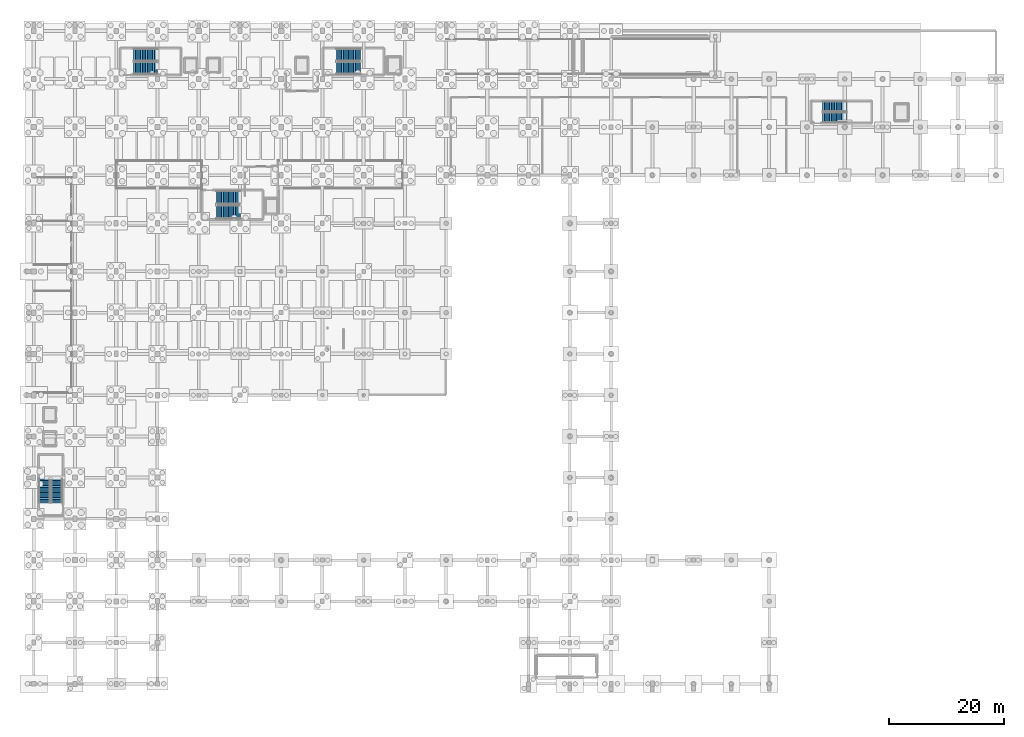
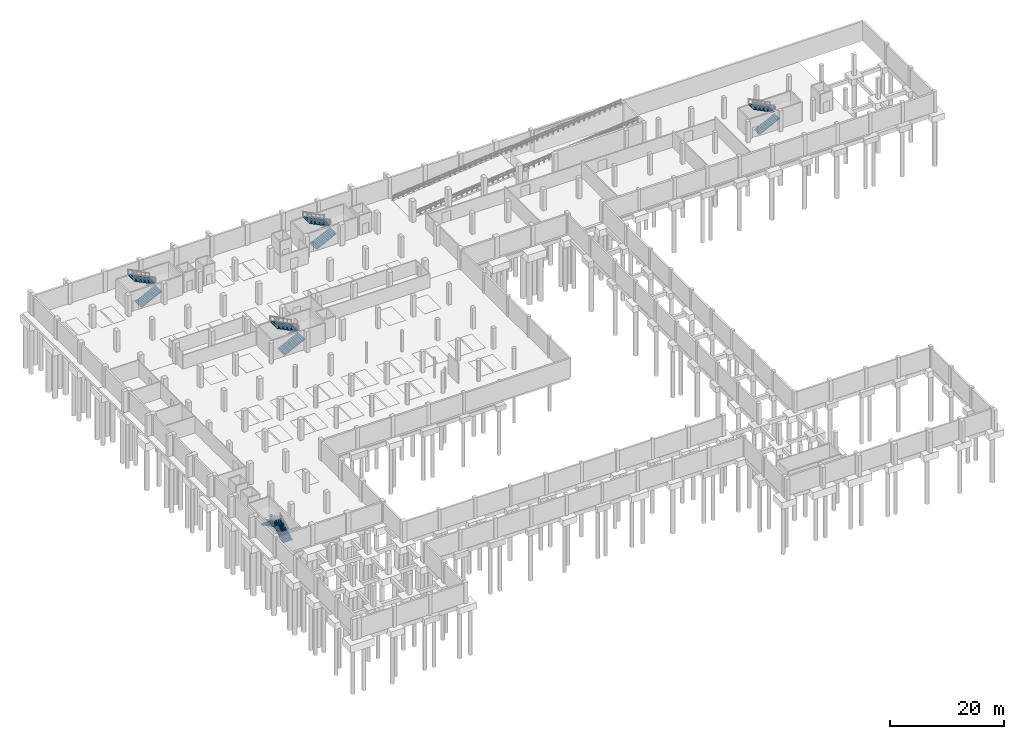
# One storey, part 28 of 35: 10 stair flights, 5 elements without a shape of their own.
"""IFC4 building model written with IfcOpenShell, lengths in metres."""

from ifc_helpers import new_model, si_unit, direction, frame, origin, place, context, subcontext, project, spatial, polyline, outline, extrude, material, type_object, element, aggregate, save


model = new_model("IFC4")

# Units and contexts
model_context = context("Model", 3, precision=1e-05, world=origin(), true_north=direction((0.0, 1.0)))
body_context = subcontext(model_context, "Body", "Model", "MODEL_VIEW")
ifc_project = project(units=[si_unit("LENGTHUNIT", "METRE"), si_unit("AREAUNIT", "SQUARE_METRE"), si_unit("VOLUMEUNIT", "CUBIC_METRE"), si_unit("PLANEANGLEUNIT", "RADIAN"), si_unit("MASSUNIT", "GRAM", prefix="KILO")], contexts=[model_context])

# Site, building, storey
site_placement = place(None, origin())
site = spatial("IfcSite", under=ifc_project, at=site_placement, CompositionType="ELEMENT")
building_placement = place(site_placement, origin())
building = spatial("IfcBuilding", under=site, at=building_placement, Name="Kalluvel Institute of Natural Sciences", CompositionType="ELEMENT")
storey_placement = place(building_placement, frame((0.0, 0.0, -4.5)))
storey = spatial("IfcBuildingStorey", under=building, at=storey_placement, Name="B1", CompositionType="ELEMENT", Elevation=-4.5)

# Stair, stair flights
ifc_material = material(Name="Concrete M40", Category="concrete")
stair_type_1 = type_object("IfcStairType", Name="STR-ST12-45", PredefinedType="HALF_TURN_STAIR", material=ifc_material)
stair_1_placement = place(storey_placement, origin())
stair_1 = element("IfcStair", 1, at=stair_1_placement, inside=storey, type_object=stair_type_1, Name="B1 Wet Wing West Protected Exit Stair ST1", PredefinedType="HALF_TURN_STAIR")
stair_flight_type_1 = type_object("IfcStairFlightType", Name="STF-ST12-45", PredefinedType="STRAIGHT", material=ifc_material)
stair_flight_1_placement = place(storey_placement, frame((31.449951171875, 121.47998046875, 0.0), z_axis=(0.0, 0.0, 1.0), x_axis=(1.0, 0.0, 0.0)))
stair_flight_1 = element("IfcStairFlight", 2, at=stair_flight_1_placement, type_object=stair_flight_type_1, Name="S1-45 flight 1", NumberOfRisers=15, NumberOfTreads=14, PredefinedType="STRAIGHT", RiserHeight=0.15, TreadLength=0.3, context=body_context, shape_type="SweptSolid", body=[
    extrude(outline(polyline([(0.0, 0.0), (0.0, 0.14990234375), (0.300048828125, 0.14990234375), (0.300048828125, 0.300048828125), (0.60009765625, 0.300048828125), (0.60009765625, 0.449951171875), (0.89990234375, 0.449951171875), (0.89990234375, 0.60009765625), (1.199951171875, 0.60009765625), (1.199951171875, 0.75), (1.5, 0.75), (1.5, 0.89990234375), (1.800048828125, 0.89990234375), (1.800048828125, 1.050048828125), (2.10009765625, 1.050048828125), (2.10009765625, 1.199951171875), (2.39990234375, 1.199951171875), (2.39990234375, 1.35009765625), (2.699951171875, 1.35009765625), (2.699951171875, 1.5), (3.0, 1.5), (3.0, 1.64990234375), (3.300048828125, 1.64990234375), (3.300048828125, 1.800048828125), (3.60009765625, 1.800048828125), (3.60009765625, 1.949951171875), (3.89990234375, 1.949951171875), (3.89990234375, 2.10009765625), (4.199951171875, 2.10009765625), (4.199951171875, 2.25), (4.199951171875, 1.932373046875), (0.335205078125, 0.0), (0.0, 0.0)])), frame((0.0, 1.080078125, 0.0), z_axis=(0.0, -1.0, 0.0), x_axis=(1.0, 0.0, 0.0)), (0.0, 0.0, 1.0), 2.159912109375),
])
stair_flight_2_placement = place(storey_placement, frame((35.64990234375, 123.7900390625, 2.25), z_axis=(0.0, 0.0, 1.0), x_axis=(-1.0, 0.0, 0.0)))
stair_flight_2 = element("IfcStairFlight", 3, at=stair_flight_2_placement, type_object=stair_flight_type_1, Name="S1-45 flight 2", NumberOfRisers=15, NumberOfTreads=14, PredefinedType="STRAIGHT", RiserHeight=0.15, TreadLength=0.3, context=body_context, shape_type="SweptSolid", body=[
    extrude(outline(polyline([(0.0, 0.0), (0.0, 0.14990234375), (0.300048828125, 0.14990234375), (0.300048828125, 0.300048828125), (0.60009765625, 0.300048828125), (0.60009765625, 0.449951171875), (0.89990234375, 0.449951171875), (0.89990234375, 0.60009765625), (1.199951171875, 0.60009765625), (1.199951171875, 0.75), (1.5, 0.75), (1.5, 0.89990234375), (1.800048828125, 0.89990234375), (1.800048828125, 1.050048828125), (2.10009765625, 1.050048828125), (2.10009765625, 1.199951171875), (2.39990234375, 1.199951171875), (2.39990234375, 1.35009765625), (2.699951171875, 1.35009765625), (2.699951171875, 1.5), (3.0, 1.5), (3.0, 1.64990234375), (3.300048828125, 1.64990234375), (3.300048828125, 1.800048828125), (3.60009765625, 1.800048828125), (3.60009765625, 1.949951171875), (3.89990234375, 1.949951171875), (3.89990234375, 2.10009765625), (4.199951171875, 2.10009765625), (4.199951171875, 2.25), (4.199951171875, 1.932373046875), (0.335205078125, 0.0), (0.0, 0.0)])), frame((0.0, 1.080078125, 0.0), z_axis=(0.0, -1.0, 0.0), x_axis=(1.0, 0.0, 0.0)), (0.0, 0.0, 1.0), 2.159912109375),
])
aggregate(stair_1, [stair_flight_1, stair_flight_2])

stair_2_placement = place(storey_placement, origin())
stair_2 = element("IfcStair", 4, at=stair_2_placement, inside=storey, type_object=stair_type_1, Name="B1 Wet Wing East Protected Exit Stair ST2", PredefinedType="HALF_TURN_STAIR")
stair_flight_3_placement = place(storey_placement, frame((66.85009765625, 121.47998046875, 0.0), z_axis=(0.0, 0.0, 1.0), x_axis=(1.0, 0.0, 0.0)))
stair_flight_3 = element("IfcStairFlight", 5, at=stair_flight_3_placement, type_object=stair_flight_type_1, Name="S1-45 flight 1", NumberOfRisers=15, NumberOfTreads=14, PredefinedType="STRAIGHT", RiserHeight=0.15, TreadLength=0.3, context=body_context, shape_type="SweptSolid", body=[
    extrude(outline(polyline([(0.0, 0.0), (0.0, 0.14990234375), (0.300048828125, 0.14990234375), (0.300048828125, 0.300048828125), (0.60009765625, 0.300048828125), (0.60009765625, 0.449951171875), (0.89990234375, 0.449951171875), (0.89990234375, 0.60009765625), (1.199951171875, 0.60009765625), (1.199951171875, 0.75), (1.5, 0.75), (1.5, 0.89990234375), (1.800048828125, 0.89990234375), (1.800048828125, 1.050048828125), (2.10009765625, 1.050048828125), (2.10009765625, 1.199951171875), (2.39990234375, 1.199951171875), (2.39990234375, 1.35009765625), (2.699951171875, 1.35009765625), (2.699951171875, 1.5), (3.0, 1.5), (3.0, 1.64990234375), (3.300048828125, 1.64990234375), (3.300048828125, 1.800048828125), (3.60009765625, 1.800048828125), (3.60009765625, 1.949951171875), (3.89990234375, 1.949951171875), (3.89990234375, 2.10009765625), (4.199951171875, 2.10009765625), (4.199951171875, 2.25), (4.199951171875, 1.932373046875), (0.335205078125, 0.0), (0.0, 0.0)])), frame((0.0, 1.080078125, 0.0), z_axis=(0.0, -1.0, 0.0), x_axis=(1.0, 0.0, 0.0)), (0.0, 0.0, 1.0), 2.159912109375),
])
stair_flight_4_placement = place(storey_placement, frame((71.050048828125, 123.7900390625, 2.25), z_axis=(0.0, 0.0, 1.0), x_axis=(-1.0, 0.0, 0.0)))
stair_flight_4 = element("IfcStairFlight", 6, at=stair_flight_4_placement, type_object=stair_flight_type_1, Name="S1-45 flight 2", NumberOfRisers=15, NumberOfTreads=14, PredefinedType="STRAIGHT", RiserHeight=0.15, TreadLength=0.3, context=body_context, shape_type="SweptSolid", body=[
    extrude(outline(polyline([(0.0, 0.0), (0.0, 0.14990234375), (0.300048828125, 0.14990234375), (0.300048828125, 0.300048828125), (0.60009765625, 0.300048828125), (0.60009765625, 0.449951171875), (0.89990234375, 0.449951171875), (0.89990234375, 0.60009765625), (1.199951171875, 0.60009765625), (1.199951171875, 0.75), (1.5, 0.75), (1.5, 0.89990234375), (1.800048828125, 0.89990234375), (1.800048828125, 1.050048828125), (2.10009765625, 1.050048828125), (2.10009765625, 1.199951171875), (2.39990234375, 1.199951171875), (2.39990234375, 1.35009765625), (2.699951171875, 1.35009765625), (2.699951171875, 1.5), (3.0, 1.5), (3.0, 1.64990234375), (3.300048828125, 1.64990234375), (3.300048828125, 1.800048828125), (3.60009765625, 1.800048828125), (3.60009765625, 1.949951171875), (3.89990234375, 1.949951171875), (3.89990234375, 2.10009765625), (4.199951171875, 2.10009765625), (4.199951171875, 2.25), (4.199951171875, 1.932373046875), (0.335205078125, 0.0), (0.0, 0.0)])), frame((0.0, 1.080078125, 0.0), z_axis=(0.0, -1.0, 0.0), x_axis=(1.0, 0.0, 0.0)), (0.0, 0.0, 1.0), 2.159912109375),
])
aggregate(stair_2, [stair_flight_3, stair_flight_4])

stair_type_2 = type_object("IfcStairType", Name="STR-ST3-45", PredefinedType="HALF_TURN_STAIR", material=ifc_material)
stair_3_placement = place(storey_placement, origin())
stair_3 = element("IfcStair", 7, at=stair_3_placement, inside=storey, type_object=stair_type_2, Name="B1 Central Fire-Tower Protected Stair ST3", PredefinedType="HALF_TURN_STAIR")
stair_flight_type_2 = type_object("IfcStairFlightType", Name="STF-ST3-45", PredefinedType="STRAIGHT", material=ifc_material)
stair_flight_5_placement = place(storey_placement, frame((45.89990234375, 96.3798828125, 0.0), z_axis=(0.0, 0.0, 1.0), x_axis=(1.0, 0.0, 0.0)))
stair_flight_5 = element("IfcStairFlight", 8, at=stair_flight_5_placement, type_object=stair_flight_type_2, Name="S3-45 flight 1", NumberOfRisers=15, NumberOfTreads=14, PredefinedType="STRAIGHT", RiserHeight=0.15, TreadLength=0.3, context=body_context, shape_type="SweptSolid", body=[
    extrude(outline(polyline([(0.0, 0.0), (0.0, 0.14990234375), (0.300048828125, 0.14990234375), (0.300048828125, 0.300048828125), (0.60009765625, 0.300048828125), (0.60009765625, 0.449951171875), (0.89990234375, 0.449951171875), (0.89990234375, 0.60009765625), (1.199951171875, 0.60009765625), (1.199951171875, 0.75), (1.5, 0.75), (1.5, 0.89990234375), (1.800048828125, 0.89990234375), (1.800048828125, 1.050048828125), (2.10009765625, 1.050048828125), (2.10009765625, 1.199951171875), (2.39990234375, 1.199951171875), (2.39990234375, 1.35009765625), (2.699951171875, 1.35009765625), (2.699951171875, 1.5), (3.0, 1.5), (3.0, 1.64990234375), (3.300048828125, 1.64990234375), (3.300048828125, 1.800048828125), (3.60009765625, 1.800048828125), (3.60009765625, 1.949951171875), (3.89990234375, 1.949951171875), (3.89990234375, 2.10009765625), (4.199951171875, 2.10009765625), (4.199951171875, 2.25), (4.199951171875, 1.932373046875), (0.335205078125, 0.0), (0.0, 0.0)])), frame((0.0, 1.18017578125, 0.0), z_axis=(0.0, -1.0, 0.0), x_axis=(1.0, 0.0, 0.0)), (0.0, 0.0, 1.0), 2.360107421875),
])
stair_flight_6_placement = place(storey_placement, frame((50.10009765625, 98.889892578125, 2.25), z_axis=(0.0, 0.0, 1.0), x_axis=(-1.0, 0.0, 0.0)))
stair_flight_6 = element("IfcStairFlight", 9, at=stair_flight_6_placement, type_object=stair_flight_type_2, Name="S3-45 flight 2", NumberOfRisers=15, NumberOfTreads=14, PredefinedType="STRAIGHT", RiserHeight=0.15, TreadLength=0.3, context=body_context, shape_type="SweptSolid", body=[
    extrude(outline(polyline([(0.0, 0.0), (0.0, 0.14990234375), (0.300048828125, 0.14990234375), (0.300048828125, 0.300048828125), (0.60009765625, 0.300048828125), (0.60009765625, 0.449951171875), (0.89990234375, 0.449951171875), (0.89990234375, 0.60009765625), (1.199951171875, 0.60009765625), (1.199951171875, 0.75), (1.5, 0.75), (1.5, 0.89990234375), (1.800048828125, 0.89990234375), (1.800048828125, 1.050048828125), (2.10009765625, 1.050048828125), (2.10009765625, 1.199951171875), (2.39990234375, 1.199951171875), (2.39990234375, 1.35009765625), (2.699951171875, 1.35009765625), (2.699951171875, 1.5), (3.0, 1.5), (3.0, 1.64990234375), (3.300048828125, 1.64990234375), (3.300048828125, 1.800048828125), (3.60009765625, 1.800048828125), (3.60009765625, 1.949951171875), (3.89990234375, 1.949951171875), (3.89990234375, 2.10009765625), (4.199951171875, 2.10009765625), (4.199951171875, 2.25), (4.199951171875, 1.932373046875), (0.335205078125, 0.0), (0.0, 0.0)])), frame((0.0, 1.18017578125, 0.0), z_axis=(0.0, -1.0, 0.0), x_axis=(1.0, 0.0, 0.0)), (0.0, 0.0, 1.0), 2.360107421875),
])
aggregate(stair_3, [stair_flight_5, stair_flight_6])

stair_type_3 = type_object("IfcStairType", Name="STR-ST4-45", PredefinedType="HALF_TURN_STAIR", material=ifc_material)
stair_4_placement = place(storey_placement, origin())
stair_4 = element("IfcStair", 10, at=stair_4_placement, inside=storey, type_object=stair_type_3, Name="B1 Dry Wing Protected Exit Stair ST4", PredefinedType="HALF_TURN_STAIR")
stair_flight_type_3 = type_object("IfcStairFlightType", Name="STF-ST4-45", PredefinedType="STRAIGHT", material=ifc_material)
stair_flight_7_placement = place(storey_placement, frame((18.02001953125, 45.60009765625, 0.0), z_axis=(0.0, 0.0, 1.0), x_axis=(0.0, 1.0, 0.0)))
stair_flight_7 = element("IfcStairFlight", 11, at=stair_flight_7_placement, type_object=stair_flight_type_3, Name="S4-45 flight 1", NumberOfRisers=15, NumberOfTreads=14, PredefinedType="STRAIGHT", RiserHeight=0.15, TreadLength=0.3, context=body_context, shape_type="SweptSolid", body=[
    extrude(outline(polyline([(0.0, 0.0), (0.0, 0.14990234375), (0.300048828125, 0.14990234375), (0.300048828125, 0.300048828125), (0.60009765625, 0.300048828125), (0.60009765625, 0.449951171875), (0.89990234375, 0.449951171875), (0.89990234375, 0.60009765625), (1.199951171875, 0.60009765625), (1.199951171875, 0.75), (1.5, 0.75), (1.5, 0.89990234375), (1.800048828125, 0.89990234375), (1.800048828125, 1.050048828125), (2.10009765625, 1.050048828125), (2.10009765625, 1.199951171875), (2.39990234375, 1.199951171875), (2.39990234375, 1.35009765625), (2.699951171875, 1.35009765625), (2.699951171875, 1.5), (3.0, 1.5), (3.0, 1.64990234375), (3.300048828125, 1.64990234375), (3.300048828125, 1.800048828125), (3.60009765625, 1.800048828125), (3.60009765625, 1.949951171875), (3.89990234375, 1.949951171875), (3.89990234375, 2.10009765625), (4.199951171875, 2.10009765625), (4.199951171875, 2.25), (4.199951171875, 1.932373046875), (0.335205078125, 0.0), (0.0, 0.0)])), frame((0.0, 0.97998046875, 0.0), z_axis=(0.0, -1.0, 0.0), x_axis=(1.0, 0.0, 0.0)), (0.0, 0.0, 1.0), 1.9599609375),
])
stair_flight_8_placement = place(storey_placement, frame((15.909912109375, 49.800048828125, 2.25), z_axis=(0.0, 0.0, 1.0), x_axis=(0.0, -1.0, 0.0)))
stair_flight_8 = element("IfcStairFlight", 12, at=stair_flight_8_placement, type_object=stair_flight_type_3, Name="S4-45 flight 2", NumberOfRisers=15, NumberOfTreads=14, PredefinedType="STRAIGHT", RiserHeight=0.15, TreadLength=0.3, context=body_context, shape_type="SweptSolid", body=[
    extrude(outline(polyline([(0.0, 0.0), (0.0, 0.14990234375), (0.300048828125, 0.14990234375), (0.300048828125, 0.300048828125), (0.60009765625, 0.300048828125), (0.60009765625, 0.449951171875), (0.89990234375, 0.449951171875), (0.89990234375, 0.60009765625), (1.199951171875, 0.60009765625), (1.199951171875, 0.75), (1.5, 0.75), (1.5, 0.89990234375), (1.800048828125, 0.89990234375), (1.800048828125, 1.050048828125), (2.10009765625, 1.050048828125), (2.10009765625, 1.199951171875), (2.39990234375, 1.199951171875), (2.39990234375, 1.35009765625), (2.699951171875, 1.35009765625), (2.699951171875, 1.5), (3.0, 1.5), (3.0, 1.64990234375), (3.300048828125, 1.64990234375), (3.300048828125, 1.800048828125), (3.60009765625, 1.800048828125), (3.60009765625, 1.949951171875), (3.89990234375, 1.949951171875), (3.89990234375, 2.10009765625), (4.199951171875, 2.10009765625), (4.199951171875, 2.25), (4.199951171875, 1.932373046875), (0.335205078125, 0.0), (0.0, 0.0)])), frame((0.0, 0.97998046875, 0.0), z_axis=(0.0, -1.0, 0.0), x_axis=(1.0, 0.0, 0.0)), (0.0, 0.0, 1.0), 1.9599609375),
])
aggregate(stair_4, [stair_flight_7, stair_flight_8])

stair_type_4 = type_object("IfcStairType", Name="STR-ST5-45", PredefinedType="HALF_TURN_STAIR", material=ifc_material)
stair_5_placement = place(storey_placement, origin())
stair_5 = element("IfcStair", 13, at=stair_5_placement, inside=storey, type_object=stair_type_4, Name="B1 Cleanroom Pavilion Exit Stair ST5", PredefinedType="HALF_TURN_STAIR")
stair_flight_type_4 = type_object("IfcStairFlightType", Name="STF-ST5-45", PredefinedType="STRAIGHT", material=ifc_material)
stair_flight_9_placement = place(storey_placement, frame((151.75, 112.8798828125, 0.0), z_axis=(0.0, 0.0, 1.0), x_axis=(1.0, 0.0, 0.0)))
stair_flight_9 = element("IfcStairFlight", 14, at=stair_flight_9_placement, type_object=stair_flight_type_4, Name="S5-45 flight 1", NumberOfRisers=15, NumberOfTreads=14, PredefinedType="STRAIGHT", RiserHeight=0.15, TreadLength=0.3, context=body_context, shape_type="SweptSolid", body=[
    extrude(outline(polyline([(0.0, 0.0), (0.0, 0.14990234375), (0.300048828125, 0.14990234375), (0.300048828125, 0.300048828125), (0.60009765625, 0.300048828125), (0.60009765625, 0.449951171875), (0.89990234375, 0.449951171875), (0.89990234375, 0.60009765625), (1.199951171875, 0.60009765625), (1.199951171875, 0.75), (1.5, 0.75), (1.5, 0.89990234375), (1.800048828125, 0.89990234375), (1.800048828125, 1.050048828125), (2.10009765625, 1.050048828125), (2.10009765625, 1.199951171875), (2.39990234375, 1.199951171875), (2.39990234375, 1.35009765625), (2.699951171875, 1.35009765625), (2.699951171875, 1.5), (3.0, 1.5), (3.0, 1.64990234375), (3.300048828125, 1.64990234375), (3.300048828125, 1.800048828125), (3.60009765625, 1.800048828125), (3.60009765625, 1.949951171875), (3.89990234375, 1.949951171875), (3.89990234375, 2.10009765625), (4.199951171875, 2.10009765625), (4.199951171875, 2.25), (4.199951171875, 1.932373046875), (0.335205078125, 0.0), (0.0, 0.0)])), frame((0.0, 0.8798828125, 0.0), z_axis=(0.0, -1.0, 0.0), x_axis=(1.0, 0.0, 0.0)), (0.0, 0.0, 1.0), 1.760009765625),
])
stair_flight_10_placement = place(storey_placement, frame((155.949951171875, 114.7900390625, 2.25), z_axis=(0.0, 0.0, 1.0), x_axis=(-1.0, 0.0, 0.0)))
stair_flight_10 = element("IfcStairFlight", 15, at=stair_flight_10_placement, type_object=stair_flight_type_4, Name="S5-45 flight 2", NumberOfRisers=15, NumberOfTreads=14, PredefinedType="STRAIGHT", RiserHeight=0.15, TreadLength=0.3, context=body_context, shape_type="SweptSolid", body=[
    extrude(outline(polyline([(0.0, 0.0), (0.0, 0.14990234375), (0.300048828125, 0.14990234375), (0.300048828125, 0.300048828125), (0.60009765625, 0.300048828125), (0.60009765625, 0.449951171875), (0.89990234375, 0.449951171875), (0.89990234375, 0.60009765625), (1.199951171875, 0.60009765625), (1.199951171875, 0.75), (1.5, 0.75), (1.5, 0.89990234375), (1.800048828125, 0.89990234375), (1.800048828125, 1.050048828125), (2.10009765625, 1.050048828125), (2.10009765625, 1.199951171875), (2.39990234375, 1.199951171875), (2.39990234375, 1.35009765625), (2.699951171875, 1.35009765625), (2.699951171875, 1.5), (3.0, 1.5), (3.0, 1.64990234375), (3.300048828125, 1.64990234375), (3.300048828125, 1.800048828125), (3.60009765625, 1.800048828125), (3.60009765625, 1.949951171875), (3.89990234375, 1.949951171875), (3.89990234375, 2.10009765625), (4.199951171875, 2.10009765625), (4.199951171875, 2.25), (4.199951171875, 1.932373046875), (0.335205078125, 0.0), (0.0, 0.0)])), frame((0.0, 0.8798828125, 0.0), z_axis=(0.0, -1.0, 0.0), x_axis=(1.0, 0.0, 0.0)), (0.0, 0.0, 1.0), 1.760009765625),
])
aggregate(stair_5, [stair_flight_9, stair_flight_10])

save(model, "model.ifc")
